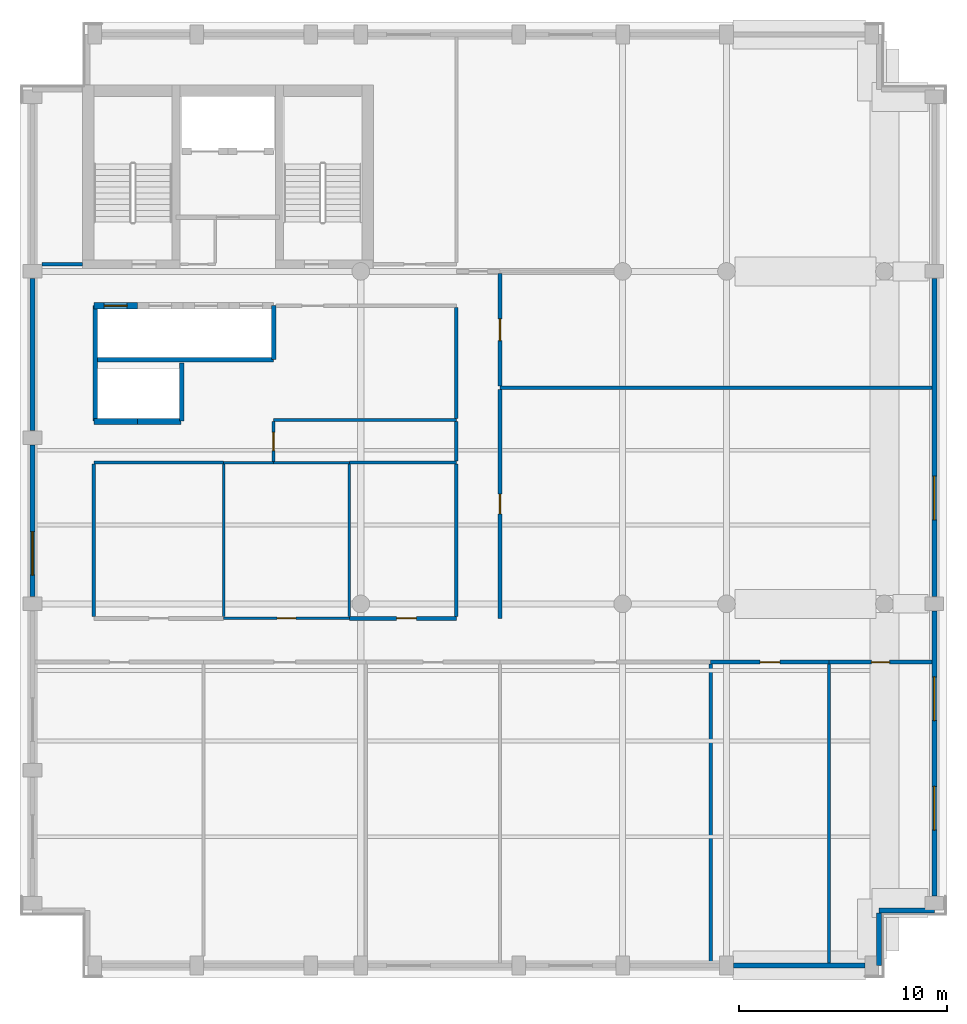
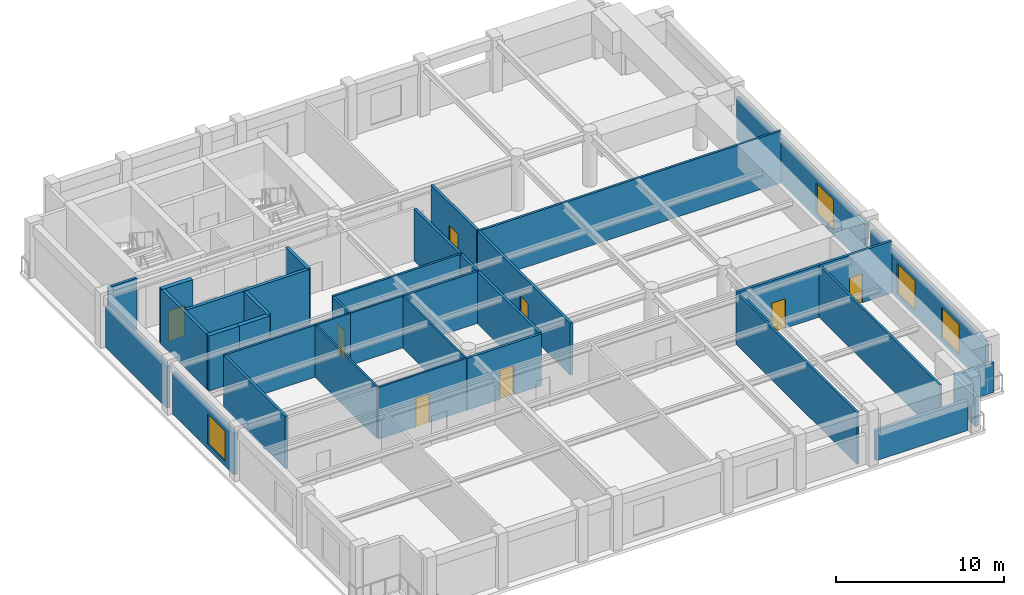
# One storey, part 3 of 8: 36 walls, 8 doors, 4 windows, 12 openings.
"""IFC4 building model written with IfcOpenShell, lengths in metres."""

from ifc_helpers import new_model, si_unit, direction, frame, frame_2d, origin, place, context, subcontext, project, spatial, rectangle, extrude, material, layer, layer_set, type_object, element, fill, save


model = new_model("IFC4")

# Units and contexts
model_context = context("Model", 3, precision=1e-05, world=origin(), true_north=direction((0.0, 1.0)))
body_context = subcontext(model_context, "Body", "Model", "MODEL_VIEW")
ifc_project = project(units=[si_unit("LENGTHUNIT", "METRE"), si_unit("AREAUNIT", "SQUARE_METRE"), si_unit("VOLUMEUNIT", "CUBIC_METRE"), si_unit("PLANEANGLEUNIT", "RADIAN"), si_unit("MASSUNIT", "GRAM", prefix="KILO")], contexts=[model_context])

# Site, building, storey
site_placement = place(None, origin())
site = spatial("IfcSite", under=ifc_project, at=site_placement, CompositionType="ELEMENT")
building_placement = place(site_placement, origin())
building = spatial("IfcBuilding", under=site, at=building_placement, Name="Sulina Concourse Tower", CompositionType="ELEMENT")
storey_placement = place(building_placement, frame((0.0, 0.0, 293.0)))
storey = spatial("IfcBuildingStorey", under=building, at=storey_placement, Name="L71", CompositionType="ELEMENT", Elevation=293.0)

# Walls
ifc_material_1 = material(Name="Concrete C50/60", Category="concrete")
ifc_layer_1 = layer(ifc_material_1, 0.219970703125)
ifc_layer_set_1 = layer_set([ifc_layer_1], Name="Concrete C50/60")
wall_type_1 = type_object("IfcWallType", Name="Core Lift Hoistway Divider Wall 220mm", PredefinedType="SOLIDWALL", material=ifc_layer_set_1)
wall_1_placement = place(storey_placement, frame((3.550048828125, 29.75, 0.0), z_axis=(0.0, 0.0, 1.0), x_axis=(1.0, 0.0, 0.0)))
element("IfcWall", 1, at=wall_1_placement, inside=storey, type_object=wall_type_1, Name="L71 shaft divider wall HW-LP3-S", PredefinedType="SOLIDWALL", context=body_context, shape_type="SweptSolid", body=[
    extrude(rectangle(XDim=8.64990234375, YDim=0.219970703125, at=frame_2d((4.324951171875, 0.0))), origin(), (0.0, 0.0, 1.0), 4.0),
])
wall_2_placement = place(storey_placement, frame((3.6298828125, 26.800048828125, 0.0), z_axis=(0.0, 0.0, 1.0), x_axis=(0.0, 1.0, 0.0)))
element("IfcWall", 2, at=wall_2_placement, inside=storey, type_object=wall_type_1, Name="L71 shaft divider wall HW-LP3-W", PredefinedType="SOLIDWALL", context=body_context, shape_type="SweptSolid", body=[
    extrude(rectangle(XDim=5.550048828125, YDim=0.219970703125, at=frame_2d((2.77490234375, 0.0))), origin(), (0.0, 0.0, 1.0), 4.0),
])
wall_3_placement = place(storey_placement, frame((7.780029296875, 26.800048828125, 0.0), z_axis=(0.0, 0.0, 1.0), x_axis=(0.0, 1.0, 0.0)))
element("IfcWall", 3, at=wall_3_placement, inside=storey, type_object=wall_type_1, Name="L71 shaft divider wall HW-EXP-E", PredefinedType="SOLIDWALL", context=body_context, shape_type="SweptSolid", body=[
    extrude(rectangle(XDim=2.800048828125, YDim=0.219970703125, at=frame_2d((1.39990234375, 0.0))), origin(), (0.0, 0.0, 1.0), 4.0),
])
wall_4_placement = place(storey_placement, frame((12.219970703125, 29.75, 0.0), z_axis=(0.0, 0.0, 1.0), x_axis=(0.0, 1.0, 0.0)))
element("IfcWall", 4, at=wall_4_placement, inside=storey, type_object=wall_type_1, Name="L71 shaft divider wall HW-LP3-E", PredefinedType="SOLIDWALL", context=body_context, shape_type="SweptSolid", body=[
    extrude(rectangle(XDim=2.60009765625, YDim=0.219970703125, at=frame_2d((1.300048828125, 0.0))), origin(), (0.0, 0.0, 1.0), 4.0),
])

# Wall, opening, door
ifc_material_2 = material(Name="Concrete C50/60", Category="concrete")
ifc_layer_2 = layer(ifc_material_2, 0.300048828125)
ifc_layer_set_2 = layer_set([ifc_layer_2], Name="Concrete C50/60")
wall_type_2 = type_object("IfcWallType", Name="Core Lift Hoistway Wall 300mm", PredefinedType="SOLIDWALL", material=ifc_layer_set_2)
wall_5_placement = place(storey_placement, frame((3.550048828125, 32.35009765625, 0.0), z_axis=(0.0, 0.0, 1.0), x_axis=(1.0, 0.0, 0.0)))
wall_5 = element("IfcWall", 5, at=wall_5_placement, inside=storey, type_object=wall_type_2, Name="L71 hoistway enclosure wall LP-09", PredefinedType="SOLIDWALL", context=body_context, shape_type="SweptSolid", body=[
    extrude(rectangle(XDim=2.099853515625, YDim=0.300048828125, at=frame_2d((1.0498046875, 0.0))), origin(), (0.0, 0.0, 1.0), 4.0),
])
opening_1_placement = place(wall_5_placement, frame((0.5, 0.0, 0.0)))
opening_1 = element("IfcOpeningElement", 6, at=opening_1_placement, cuts=wall_5, Name="Opening LD-01", PredefinedType="OPENING", context=body_context, shape_type="SweptSolid", body=[
    extrude(rectangle(XDim=1.10009765625, YDim=2.199951171875, at=frame_2d((0.550048828125, 1.10009765625))), frame((0.0, 0.159912109375, 0.0), z_axis=(0.0, -1.0, 0.0), x_axis=(1.0, 0.0, 0.0)), (0.0, 0.0, 1.0), 0.320068359375),
])
ifc_material_3 = material(Name="Stainless steel lift landing door", Category="steel")
ifc_layer_3 = layer(ifc_material_3, 0.050048828125)
ifc_layer_set_3 = layer_set([ifc_layer_3], Name="Stainless steel lift landing door")
door_type_1 = type_object("IfcDoorType", Name="Passenger Lift Sliding Landing Door 1100x2200", OperationType="SLIDING_TO_LEFT", PredefinedType="DOOR", material=ifc_layer_set_3)
door_1_placement = place(opening_1_placement, origin())
door_1 = element("IfcDoor", 7, at=door_1_placement, inside=storey, type_object=door_type_1, Name="L71 lift landing sliding door LP-09", OperationType="SLIDING_TO_LEFT", OverallHeight=2.199951171875, OverallWidth=1.10009765625, PredefinedType="DOOR", context=body_context, shape_type="SweptSolid", body=[
    extrude(rectangle(XDim=1.10009765625, YDim=2.199951171875, at=frame_2d((0.550048828125, 1.10009765625))), frame((0.0, 0.02490234375, 0.0), z_axis=(0.0, -1.0, 0.0), x_axis=(1.0, 0.0, 0.0)), (0.0, 0.0, 1.0), 0.050048828125),
])
fill(opening_1, door_1)

# Walls
wall_6_placement = place(storey_placement, frame((5.64990234375, 26.780029296875, 0.0), z_axis=(0.0, 0.0, 1.0), x_axis=(-1.0, 0.0, 0.0)))
element("IfcWall", 8, at=wall_6_placement, inside=storey, type_object=wall_type_2, Name="L71 hoistway enclosure wall EXP-1", PredefinedType="SOLIDWALL", context=body_context, shape_type="SweptSolid", body=[
    extrude(rectangle(XDim=2.099853515625, YDim=0.300048828125, at=frame_2d((1.0498046875, 0.0))), origin(), (0.0, 0.0, 1.0), 4.0),
])
wall_7_placement = place(storey_placement, frame((7.75, 26.780029296875, 0.0), z_axis=(0.0, 0.0, 1.0), x_axis=(-1.0, 0.0, 0.0)))
element("IfcWall", 9, at=wall_7_placement, inside=storey, type_object=wall_type_2, Name="L71 hoistway enclosure wall EXP-2", PredefinedType="SOLIDWALL", context=body_context, shape_type="SweptSolid", body=[
    extrude(rectangle(XDim=2.10009765625, YDim=0.300048828125, at=frame_2d((1.050048828125, 0.0))), origin(), (0.0, 0.0, 1.0), 4.0),
])
ifc_material_4 = material(Name="Precast concrete C50/60", Category="concrete")
ifc_layer_4 = layer(ifc_material_4, 0.239990234375)
ifc_layer_set_4 = layer_set([ifc_layer_4], Name="Precast concrete C50/60")
wall_type_3 = type_object("IfcWallType", Name="Crown Precast Masonry-Frame Facade Wall 240mm", PredefinedType="SOLIDWALL", material=ifc_layer_set_4)
wall_8_placement = place(storey_placement, frame((40.655029296875, 0.60009765625, 0.0), z_axis=(0.0, 0.0, 1.0), x_axis=(-1.0, 0.0, 0.0)))
element("IfcWall", 10, at=wall_8_placement, inside=storey, type_object=wall_type_3, Name="L71 exterior precast wall S7", PredefinedType="SOLIDWALL", context=body_context, shape_type="SweptSolid", body=[
    extrude(rectangle(XDim=6.31005859375, YDim=0.239990234375, at=frame_2d((3.155029296875, 0.0))), origin(), (0.0, 0.0, 1.0), 2.175048828125),
])

# Wall, opening, window
wall_9_placement = place(storey_placement, frame((0.60009765625, 18.344970703125, 0.0), z_axis=(0.0, 0.0, 1.0), x_axis=(0.0, 1.0, 0.0)))
wall_9 = element("IfcWall", 11, at=wall_9_placement, inside=storey, type_object=wall_type_3, Name="L71 exterior precast wall W3", PredefinedType="SOLIDWALL", context=body_context, shape_type="SweptSolid", body=[
    extrude(rectangle(XDim=7.31005859375, YDim=0.239990234375, at=frame_2d((3.655029296875, 0.0))), origin(), (0.0, 0.0, 1.0), 3.02490234375),
])
opening_2_placement = place(wall_9_placement, frame((1.03662109375, 0.0, 0.35009765625)))
opening_2 = element("IfcOpeningElement", 12, at=opening_2_placement, cuts=wall_9, Name="Opening WN-33", PredefinedType="OPENING", context=body_context, shape_type="SweptSolid", body=[
    extrude(rectangle(XDim=2.10009765625, YDim=2.199951171875, at=frame_2d((1.050048828125, 1.10009765625))), frame((0.0, 0.1298828125, 0.0), z_axis=(0.0, -1.0, 0.0), x_axis=(1.0, 0.0, 0.0)), (0.0, 0.0, 1.0), 0.260009765625),
])
ifc_material_5 = material(Name="Low-E solar double glazing in bronze aluminium", Category="aluminium")
window_type = type_object("IfcWindowType", Name="Punched Masonry-Frame Window 2100x2200", PartitioningType="DOUBLE_PANEL_VERTICAL", PredefinedType="WINDOW", material=ifc_material_5)
window_1_placement = place(opening_2_placement, origin())
window_1 = element("IfcWindow", 13, at=window_1_placement, inside=storey, type_object=window_type, Name="L71 punched window W3-1", OverallHeight=2.199951171875, OverallWidth=2.10009765625, PartitioningType="SINGLE_PANEL", PredefinedType="WINDOW", context=body_context, shape_type="SweptSolid", body=[
    extrude(rectangle(XDim=2.10009765625, YDim=2.199951171875, at=frame_2d((1.050048828125, 1.10009765625))), frame((0.0, 0.030029296875, 0.0), z_axis=(0.0, -1.0, 0.0), x_axis=(1.0, 0.0, 0.0)), (0.0, 0.0, 1.0), 0.06005859375),
])
fill(opening_2, window_1)

# Wall
wall_10_placement = place(storey_placement, frame((0.60009765625, 26.344970703125, 0.0), z_axis=(0.0, 0.0, 1.0), x_axis=(0.0, 1.0, 0.0)))
element("IfcWall", 14, at=wall_10_placement, inside=storey, type_object=wall_type_3, Name="L71 exterior precast wall W4", PredefinedType="SOLIDWALL", context=body_context, shape_type="SweptSolid", body=[
    extrude(rectangle(XDim=7.31005859375, YDim=0.239990234375, at=frame_2d((3.655029296875, 0.0))), origin(), (0.0, 0.0, 1.0), 3.02490234375),
])

# Wall, openings, windows
wall_11_placement = place(storey_placement, frame((44.0, 17.655029296875, 0.0), z_axis=(0.0, 0.0, 1.0), x_axis=(0.0, -1.0, 0.0)))
wall_11 = element("IfcWall", 15, at=wall_11_placement, inside=storey, type_object=wall_type_3, Name="L71 exterior precast wall E1", PredefinedType="SOLIDWALL", context=body_context, shape_type="SweptSolid", body=[
    extrude(rectangle(XDim=13.7099609375, YDim=0.239990234375, at=frame_2d((6.85498046875, 0.0))), origin(), (0.0, 0.0, 1.0), 3.014892578125),
])
opening_3_placement = place(wall_11_placement, frame((3.169921875, 0.0, 0.35009765625)))
opening_3 = element("IfcOpeningElement", 16, at=opening_3_placement, cuts=wall_11, Name="Opening WN-33", PredefinedType="OPENING", context=body_context, shape_type="SweptSolid", body=[
    extrude(rectangle(XDim=2.10009765625, YDim=2.199951171875, at=frame_2d((1.050048828125, 1.10009765625))), frame((0.0, 0.1298828125, 0.0), z_axis=(0.0, -1.0, 0.0), x_axis=(1.0, 0.0, 0.0)), (0.0, 0.0, 1.0), 0.260009765625),
])
opening_4_placement = place(wall_11_placement, frame((8.43994140625, 0.0, 0.35009765625)))
opening_4 = element("IfcOpeningElement", 17, at=opening_4_placement, cuts=wall_11, Name="Opening WN-33", PredefinedType="OPENING", context=body_context, shape_type="SweptSolid", body=[
    extrude(rectangle(XDim=2.10009765625, YDim=2.199951171875, at=frame_2d((1.050048828125, 1.10009765625))), frame((0.0, 0.1298828125, 0.0), z_axis=(0.0, -1.0, 0.0), x_axis=(1.0, 0.0, 0.0)), (0.0, 0.0, 1.0), 0.260009765625),
])
window_2_placement = place(opening_3_placement, origin())
window_2 = element("IfcWindow", 18, at=window_2_placement, inside=storey, type_object=window_type, Name="L71 punched window E1-1", OverallHeight=2.199951171875, OverallWidth=2.10009765625, PartitioningType="SINGLE_PANEL", PredefinedType="WINDOW", context=body_context, shape_type="SweptSolid", body=[
    extrude(rectangle(XDim=2.10009765625, YDim=2.199951171875, at=frame_2d((1.050048828125, 1.10009765625))), frame((0.0, 0.030029296875, 0.0), z_axis=(0.0, -1.0, 0.0), x_axis=(1.0, 0.0, 0.0)), (0.0, 0.0, 1.0), 0.06005859375),
])
fill(opening_3, window_2)
window_3_placement = place(opening_4_placement, origin())
window_3 = element("IfcWindow", 19, at=window_3_placement, inside=storey, type_object=window_type, Name="L71 punched window E1-2", OverallHeight=2.199951171875, OverallWidth=2.10009765625, PartitioningType="SINGLE_PANEL", PredefinedType="WINDOW", context=body_context, shape_type="SweptSolid", body=[
    extrude(rectangle(XDim=2.10009765625, YDim=2.199951171875, at=frame_2d((1.050048828125, 1.10009765625))), frame((0.0, 0.030029296875, 0.0), z_axis=(0.0, -1.0, 0.0), x_axis=(1.0, 0.0, 0.0)), (0.0, 0.0, 1.0), 0.06005859375),
])
fill(opening_4, window_3)

# Wall, opening, window
wall_12_placement = place(storey_placement, frame((44.0, 33.655029296875, 0.0), z_axis=(0.0, 0.0, 1.0), x_axis=(0.0, -1.0, 0.0)))
wall_12 = element("IfcWall", 20, at=wall_12_placement, inside=storey, type_object=wall_type_3, Name="L71 exterior precast wall E2", PredefinedType="SOLIDWALL", context=body_context, shape_type="SweptSolid", body=[
    extrude(rectangle(XDim=15.31005859375, YDim=0.239990234375, at=frame_2d((7.655029296875, 0.0))), origin(), (0.0, 0.0, 1.0), 3.014892578125),
])
opening_5_placement = place(wall_12_placement, frame((9.506591796875, 0.0, 0.35009765625)))
opening_5 = element("IfcOpeningElement", 21, at=opening_5_placement, cuts=wall_12, Name="Opening WN-33", PredefinedType="OPENING", context=body_context, shape_type="SweptSolid", body=[
    extrude(rectangle(XDim=2.10009765625, YDim=2.199951171875, at=frame_2d((1.050048828125, 1.10009765625))), frame((0.0, 0.1298828125, 0.0), z_axis=(0.0, -1.0, 0.0), x_axis=(1.0, 0.0, 0.0)), (0.0, 0.0, 1.0), 0.260009765625),
])
window_4_placement = place(opening_5_placement, origin())
window_4 = element("IfcWindow", 22, at=window_4_placement, inside=storey, type_object=window_type, Name="L71 punched window E2-1", OverallHeight=2.199951171875, OverallWidth=2.10009765625, PartitioningType="SINGLE_PANEL", PredefinedType="WINDOW", context=body_context, shape_type="SweptSolid", body=[
    extrude(rectangle(XDim=2.10009765625, YDim=2.199951171875, at=frame_2d((1.050048828125, 1.10009765625))), frame((0.0, 0.030029296875, 0.0), z_axis=(0.0, -1.0, 0.0), x_axis=(1.0, 0.0, 0.0)), (0.0, 0.0, 1.0), 0.06005859375),
])
fill(opening_5, window_4)

# Walls
wall_13_placement = place(storey_placement, frame((44.0, 3.2548828125, 0.0), z_axis=(0.0, 0.0, 1.0), x_axis=(-1.0, 0.0, 0.0)))
element("IfcWall", 23, at=wall_13_placement, inside=storey, type_object=wall_type_3, Name="L71 exterior precast wall CSE1", PredefinedType="SOLIDWALL", context=body_context, shape_type="SweptSolid", body=[
    extrude(rectangle(XDim=2.655029296875, YDim=0.239990234375, at=frame_2d((1.32763671875, 0.0))), origin(), (0.0, 0.0, 1.0), 2.1650390625),
])
wall_14_placement = place(storey_placement, frame((41.344970703125, 3.1298828125, 0.0), z_axis=(0.0, 0.0, 1.0), x_axis=(0.0, -1.0, 0.0)))
element("IfcWall", 24, at=wall_14_placement, inside=storey, type_object=wall_type_3, Name="L71 exterior precast wall CSE2", PredefinedType="SOLIDWALL", context=body_context, shape_type="SweptSolid", body=[
    extrude(rectangle(XDim=2.52978515625, YDim=0.239990234375, at=frame_2d((1.264892578125, 0.0))), origin(), (0.0, 0.0, 1.0), 2.1650390625),
])
ifc_material_6 = material(Name="Gypsum board on steel stud", Category="steel")
ifc_layer_5 = layer(ifc_material_6, 0.14990234375)
ifc_layer_set_5 = layer_set([ifc_layer_5], Name="Gypsum board on steel stud")
wall_type_4 = type_object("IfcWallType", Name="Inter-Tenancy Acoustic Partition 150mm", PredefinedType="PARTITIONING", material=ifc_layer_set_5)
wall_15_placement = place(storey_placement, frame((3.550048828125, 24.800048828125, 0.0), z_axis=(0.0, 0.0, 1.0), x_axis=(1.0, 0.0, 0.0)))
element("IfcWall", 25, at=wall_15_placement, inside=storey, type_object=wall_type_4, Name="L71 interior partition 010", PredefinedType="PARTITIONING", context=body_context, shape_type="SweptSolid", body=[
    extrude(rectangle(XDim=6.25, YDim=0.14990234375, at=frame_2d((3.125, 0.0))), origin(), (0.0, 0.0, 1.0), 3.77490234375),
])
wall_16_placement = place(storey_placement, frame((15.85009765625, 24.800048828125, 0.0), z_axis=(0.0, 0.0, 1.0), x_axis=(1.0, 0.0, 0.0)))
element("IfcWall", 26, at=wall_16_placement, inside=storey, type_object=wall_type_4, Name="L71 interior partition 013", PredefinedType="PARTITIONING", context=body_context, shape_type="SweptSolid", body=[
    extrude(rectangle(XDim=5.14990234375, YDim=0.14990234375, at=frame_2d((2.574951171875, 0.0))), origin(), (0.0, 0.0, 1.0), 3.77490234375),
])
wall_17_placement = place(storey_placement, frame((12.199951171875, 26.85009765625, 0.0), z_axis=(0.0, 0.0, 1.0), x_axis=(1.0, 0.0, 0.0)))
element("IfcWall", 27, at=wall_17_placement, inside=storey, type_object=wall_type_4, Name="L71 interior partition 014", PredefinedType="PARTITIONING", context=body_context, shape_type="SweptSolid", body=[
    extrude(rectangle(XDim=8.800048828125, YDim=0.14990234375, at=frame_2d((4.39990234375, 0.0))), origin(), (0.0, 0.0, 1.0), 3.77490234375),
])
wall_18_placement = place(storey_placement, frame((23.10009765625, 28.39990234375, 0.0), z_axis=(0.0, 0.0, 1.0), x_axis=(1.0, 0.0, 0.0)))
element("IfcWall", 28, at=wall_18_placement, inside=storey, type_object=wall_type_4, Name="L71 interior partition 015", PredefinedType="PARTITIONING", context=body_context, shape_type="SweptSolid", body=[
    extrude(rectangle(XDim=20.77978515625, YDim=0.14990234375, at=frame_2d((10.389892578125, 0.0))), origin(), (0.0, 0.0, 1.0), 3.77490234375),
])

# Wall, opening, door
wall_19_placement = place(storey_placement, frame((12.199951171875, 24.862548828125, 0.0), z_axis=(0.0, 0.0, 1.0), x_axis=(0.0, 1.0, 0.0)))
wall_19 = element("IfcWall", 29, at=wall_19_placement, inside=storey, type_object=wall_type_4, Name="L71 interior partition 027", PredefinedType="PARTITIONING", context=body_context, shape_type="SweptSolid", body=[
    extrude(rectangle(XDim=1.912353515625, YDim=0.14990234375, at=frame_2d((0.9560546875, 0.0))), origin(), (0.0, 0.0, 1.0), 3.77490234375),
])
opening_6_placement = place(wall_19_placement, frame((0.51611328125, 0.0, 0.0)))
opening_6 = element("IfcOpeningElement", 30, at=opening_6_placement, cuts=wall_19, Name="Opening DR-38", PredefinedType="OPENING", context=body_context, shape_type="SweptSolid", body=[
    extrude(rectangle(XDim=0.8798828125, YDim=2.10009765625, at=frame_2d((0.43994140625, 1.050048828125))), frame((0.0, 0.0849609375, 0.0), z_axis=(0.0, -1.0, 0.0), x_axis=(1.0, 0.0, 0.0)), (0.0, 0.0, 1.0), 0.169921875),
])
ifc_material_7 = material(Name="Galvanised steel acoustic fire leaf", Category="steel")
ifc_layer_6 = layer(ifc_material_7, 0.050048828125)
ifc_layer_set_6 = layer_set([ifc_layer_6], Name="Galvanised steel acoustic fire leaf")
door_type_2 = type_object("IfcDoorType", Name="Service Riser Fire Door 880x2100", OperationType="NOTDEFINED", PredefinedType="DOOR", material=ifc_layer_set_6)
door_2_placement = place(opening_6_placement, origin())
door_2 = element("IfcDoor", 31, at=door_2_placement, inside=storey, type_object=door_type_2, Name="L71 interior door L71-MR-MRG1", OperationType="SINGLE_SWING_LEFT", OverallHeight=2.10009765625, OverallWidth=0.8798828125, PredefinedType="DOOR", context=body_context, shape_type="SweptSolid", body=[
    extrude(rectangle(XDim=0.8798828125, YDim=2.10009765625, at=frame_2d((0.43994140625, 1.050048828125))), frame((0.0, 0.02490234375, 0.0), z_axis=(0.0, -1.0, 0.0), x_axis=(1.0, 0.0, 0.0)), (0.0, 0.0, 1.0), 0.050048828125),
])
fill(opening_6, door_2)

# Walls
for number, where, z_axis, x_axis, name in (
    (32, (33.239990234375, 0.719970703125, 0.0), (0.0, 0.0, 1.0), (0.0, 1.0, 0.0), "L71 interior partition 037"),
    (33, (38.93994140625, 0.719970703125, 0.0), (0.0, 0.0, 1.0), (0.0, 1.0, 0.0), "L71 interior partition 038"),
):
    element("IfcWall", number, at=place(storey_placement, frame(where, z_axis=z_axis, x_axis=x_axis)), inside=storey, type_object=wall_type_4, Name=name, PredefinedType="PARTITIONING", context=body_context, shape_type="SweptSolid", body=[
        extrude(rectangle(XDim=14.39013671875, YDim=0.14990234375, at=frame_2d((7.195068359375, 0.0))), origin(), (0.0, 0.0, 1.0), 3.77490234375),
    ])

# Wall, opening, door
ifc_material_8 = material(Name="Gypsum board on steel stud", Category="steel")
ifc_layer_7 = layer(ifc_material_8, 0.179931640625)
ifc_layer_set_7 = layer_set([ifc_layer_7], Name="Gypsum board on steel stud")
wall_type_5 = type_object("IfcWallType", Name="Protected Corridor & Riser Partition 180mm", PredefinedType="PARTITIONING", material=ifc_layer_set_7)
wall_20_placement = place(storey_placement, frame((33.239990234375, 15.199951171875, 0.0), z_axis=(0.0, 0.0, 1.0), x_axis=(1.0, 0.0, 0.0)))
wall_20 = element("IfcWall", 34, at=wall_20_placement, inside=storey, type_object=wall_type_5, Name="L71 interior partition 005", PredefinedType="PARTITIONING", context=body_context, shape_type="SweptSolid", body=[
    extrude(rectangle(XDim=5.699951171875, YDim=0.179931640625, at=frame_2d((2.85009765625, 0.0))), origin(), (0.0, 0.0, 1.0), 3.77490234375),
])
opening_7_placement = place(wall_20_placement, frame((2.375, 0.0, 0.0)))
opening_7 = element("IfcOpeningElement", 35, at=opening_7_placement, cuts=wall_20, Name="Opening DR-19", PredefinedType="OPENING", context=body_context, shape_type="SweptSolid", body=[
    extrude(rectangle(XDim=0.949951171875, YDim=2.14990234375, at=frame_2d((0.47509765625, 1.074951171875))), frame((0.0, 0.099853515625, 0.0), z_axis=(0.0, -1.0, 0.0), x_axis=(1.0, 0.0, 0.0)), (0.0, 0.0, 1.0), 0.199951171875),
])
ifc_material_9 = material(Name="Oak-veneered acoustic timber leaf", Category="wood")
ifc_layer_8 = layer(ifc_material_9, 0.050048828125)
ifc_layer_set_8 = layer_set([ifc_layer_8], Name="Oak-veneered acoustic timber leaf")
door_type_3 = type_object("IfcDoorType", Name="Cellular Office & Meeting Door 950x2150", OperationType="NOTDEFINED", PredefinedType="DOOR", material=ifc_layer_set_8)
door_3_placement = place(opening_7_placement, origin())
door_3 = element("IfcDoor", 36, at=door_3_placement, inside=storey, type_object=door_type_3, Name="L71 interior door L71-S04A", OperationType="SINGLE_SWING_RIGHT", OverallHeight=2.14990234375, OverallWidth=0.949951171875, PredefinedType="DOOR", context=body_context, shape_type="SweptSolid", body=[
    extrude(rectangle(XDim=0.949951171875, YDim=2.14990234375, at=frame_2d((0.47509765625, 1.074951171875))), frame((0.0, 0.02490234375, 0.0), z_axis=(0.0, -1.0, 0.0), x_axis=(1.0, 0.0, 0.0)), (0.0, 0.0, 1.0), 0.050048828125),
])
fill(opening_7, door_3)

wall_21_placement = place(storey_placement, frame((38.93994140625, 15.199951171875, 0.0), z_axis=(0.0, 0.0, 1.0), x_axis=(1.0, 0.0, 0.0)))
wall_21 = element("IfcWall", 37, at=wall_21_placement, inside=storey, type_object=wall_type_5, Name="L71 interior partition 006", PredefinedType="PARTITIONING", context=body_context, shape_type="SweptSolid", body=[
    extrude(rectangle(XDim=4.93994140625, YDim=0.179931640625, at=frame_2d((2.469970703125, 0.0))), origin(), (0.0, 0.0, 1.0), 3.77490234375),
])
opening_8_placement = place(wall_21_placement, frame((2.030029296875, 0.0, 0.0)))
opening_8 = element("IfcOpeningElement", 38, at=opening_8_placement, cuts=wall_21, Name="Opening DR-38", PredefinedType="OPENING", context=body_context, shape_type="SweptSolid", body=[
    extrude(rectangle(XDim=0.8798828125, YDim=2.10009765625, at=frame_2d((0.43994140625, 1.050048828125))), frame((0.0, 0.099853515625, 0.0), z_axis=(0.0, -1.0, 0.0), x_axis=(1.0, 0.0, 0.0)), (0.0, 0.0, 1.0), 0.199951171875),
])
door_4_placement = place(opening_8_placement, origin())
door_4 = element("IfcDoor", 39, at=door_4_placement, inside=storey, type_object=door_type_2, Name="L71 interior door L71-S04B", OperationType="SINGLE_SWING_LEFT", OverallHeight=2.10009765625, OverallWidth=0.8798828125, PredefinedType="DOOR", context=body_context, shape_type="SweptSolid", body=[
    extrude(rectangle(XDim=0.8798828125, YDim=2.10009765625, at=frame_2d((0.43994140625, 1.050048828125))), frame((0.0, 0.02490234375, 0.0), z_axis=(0.0, -1.0, 0.0), x_axis=(1.0, 0.0, 0.0)), (0.0, 0.0, 1.0), 0.050048828125),
])
fill(opening_8, door_4)

wall_22_placement = place(storey_placement, frame((15.85009765625, 17.300048828125, 0.0), z_axis=(0.0, 0.0, 1.0), x_axis=(1.0, 0.0, 0.0)))
wall_22 = element("IfcWall", 40, at=wall_22_placement, inside=storey, type_object=wall_type_5, Name="L71 interior partition 009", PredefinedType="PARTITIONING", context=body_context, shape_type="SweptSolid", body=[
    extrude(rectangle(XDim=5.14990234375, YDim=0.179931640625, at=frame_2d((2.574951171875, 0.0))), origin(), (0.0, 0.0, 1.0), 3.77490234375),
])
opening_9_placement = place(wall_22_placement, frame((2.280029296875, 0.0, 0.0)))
opening_9 = element("IfcOpeningElement", 41, at=opening_9_placement, cuts=wall_22, Name="Opening DR-19", PredefinedType="OPENING", context=body_context, shape_type="SweptSolid", body=[
    extrude(rectangle(XDim=0.949951171875, YDim=2.14990234375, at=frame_2d((0.47509765625, 1.074951171875))), frame((0.0, 0.099853515625, 0.0), z_axis=(0.0, -1.0, 0.0), x_axis=(1.0, 0.0, 0.0)), (0.0, 0.0, 1.0), 0.199951171875),
])
door_5_placement = place(opening_9_placement, origin())
door_5 = element("IfcDoor", 42, at=door_5_placement, inside=storey, type_object=door_type_3, Name="L71 interior door L71-CR-PKW", OperationType="SINGLE_SWING_RIGHT", OverallHeight=2.14990234375, OverallWidth=0.949951171875, PredefinedType="DOOR", context=body_context, shape_type="SweptSolid", body=[
    extrude(rectangle(XDim=0.949951171875, YDim=2.14990234375, at=frame_2d((0.47509765625, 1.074951171875))), frame((0.0, 0.02490234375, 0.0), z_axis=(0.0, -1.0, 0.0), x_axis=(1.0, 0.0, 0.0)), (0.0, 0.0, 1.0), 0.050048828125),
])
fill(opening_9, door_5)

# Walls
wall_23_placement = place(storey_placement, frame((1.050048828125, 34.35009765625, 0.0), z_axis=(0.0, 0.0, 1.0), x_axis=(1.0, 0.0, 0.0)))
element("IfcWall", 43, at=wall_23_placement, inside=storey, type_object=wall_type_5, Name="L71 interior partition 020", PredefinedType="PARTITIONING", context=body_context, shape_type="SweptSolid", body=[
    extrude(rectangle(XDim=1.949951171875, YDim=0.179931640625, at=frame_2d((0.97509765625, 0.0))), origin(), (0.0, 0.0, 1.0), 3.77490234375),
])
for number, where, z_axis, x_axis, name in (
    (44, (3.550048828125, 17.389892578125, 0.0), (0.0, 0.0, 1.0), (0.0, 1.0, 0.0), "L71 interior partition 023"),
    (45, (21.0, 17.389892578125, 0.0), (0.0, 0.0, 1.0), (0.0, 1.0, 0.0), "L71 interior partition 030"),
):
    element("IfcWall", number, at=place(storey_placement, frame(where, z_axis=z_axis, x_axis=x_axis)), inside=storey, type_object=wall_type_5, Name=name, PredefinedType="PARTITIONING", context=body_context, shape_type="SweptSolid", body=[
        extrude(rectangle(XDim=7.335205078125, YDim=0.179931640625, at=frame_2d((3.66748046875, 0.0))), origin(), (0.0, 0.0, 1.0), 3.77490234375),
    ])
wall_24_placement = place(storey_placement, frame((21.0, 24.875, 0.0), z_axis=(0.0, 0.0, 1.0), x_axis=(0.0, 1.0, 0.0)))
element("IfcWall", 46, at=wall_24_placement, inside=storey, type_object=wall_type_5, Name="L71 interior partition 031", PredefinedType="PARTITIONING", context=body_context, shape_type="SweptSolid", body=[
    extrude(rectangle(XDim=1.89990234375, YDim=0.179931640625, at=frame_2d((0.949951171875, 0.0))), origin(), (0.0, 0.0, 1.0), 3.77490234375),
])
wall_25_placement = place(storey_placement, frame((21.0, 26.925048828125, 0.0), z_axis=(0.0, 0.0, 1.0), x_axis=(0.0, 1.0, 0.0)))
element("IfcWall", 47, at=wall_25_placement, inside=storey, type_object=wall_type_5, Name="L71 interior partition 032", PredefinedType="PARTITIONING", context=body_context, shape_type="SweptSolid", body=[
    extrude(rectangle(XDim=5.3349609375, YDim=0.179931640625, at=frame_2d((2.66748046875, 0.0))), origin(), (0.0, 0.0, 1.0), 3.77490234375),
])

# Wall, opening, door
wall_26_placement = place(storey_placement, frame((23.10009765625, 17.300048828125, 0.0), z_axis=(0.0, 0.0, 1.0), x_axis=(0.0, 1.0, 0.0)))
wall_26 = element("IfcWall", 48, at=wall_26_placement, inside=storey, type_object=wall_type_5, Name="L71 interior partition 035", PredefinedType="PARTITIONING", context=body_context, shape_type="SweptSolid", body=[
    extrude(rectangle(XDim=11.02490234375, YDim=0.179931640625, at=frame_2d((5.512451171875, 0.0))), origin(), (0.0, 0.0, 1.0), 3.77490234375),
])
opening_10_placement = place(wall_26_placement, frame((5.03759765625, 0.0, 0.0)))
opening_10 = element("IfcOpeningElement", 49, at=opening_10_placement, cuts=wall_26, Name="Opening DR-19", PredefinedType="OPENING", context=body_context, shape_type="SweptSolid", body=[
    extrude(rectangle(XDim=0.949951171875, YDim=2.14990234375, at=frame_2d((0.47509765625, 1.074951171875))), frame((0.0, 0.099853515625, 0.0), z_axis=(0.0, -1.0, 0.0), x_axis=(1.0, 0.0, 0.0)), (0.0, 0.0, 1.0), 0.199951171875),
])
door_6_placement = place(opening_10_placement, origin())
door_6 = element("IfcDoor", 50, at=door_6_placement, inside=storey, type_object=door_type_3, Name="L71 interior door L71-CR-E1", OperationType="SINGLE_SWING_RIGHT", OverallHeight=2.14990234375, OverallWidth=0.949951171875, PredefinedType="DOOR", context=body_context, shape_type="SweptSolid", body=[
    extrude(rectangle(XDim=0.949951171875, YDim=2.14990234375, at=frame_2d((0.47509765625, 1.074951171875))), frame((0.0, 0.02490234375, 0.0), z_axis=(0.0, -1.0, 0.0), x_axis=(1.0, 0.0, 0.0)), (0.0, 0.0, 1.0), 0.050048828125),
])
fill(opening_10, door_6)

wall_27_placement = place(storey_placement, frame((23.10009765625, 28.47509765625, 0.0), z_axis=(0.0, 0.0, 1.0), x_axis=(0.0, 1.0, 0.0)))
wall_27 = element("IfcWall", 51, at=wall_27_placement, inside=storey, type_object=wall_type_5, Name="L71 interior partition 036", PredefinedType="PARTITIONING", context=body_context, shape_type="SweptSolid", body=[
    extrude(rectangle(XDim=5.434814453125, YDim=0.179931640625, at=frame_2d((2.71728515625, 0.0))), origin(), (0.0, 0.0, 1.0), 3.77490234375),
])
opening_11_placement = place(wall_27_placement, frame((2.1923828125, 0.0, 0.0)))
opening_11 = element("IfcOpeningElement", 52, at=opening_11_placement, cuts=wall_27, Name="Opening DR-37", PredefinedType="OPENING", context=body_context, shape_type="SweptSolid", body=[
    extrude(rectangle(XDim=1.050048828125, YDim=2.14990234375, at=frame_2d((0.52490234375, 1.074951171875))), frame((0.0, 0.099853515625, 0.0), z_axis=(0.0, -1.0, 0.0), x_axis=(1.0, 0.0, 0.0)), (0.0, 0.0, 1.0), 0.199951171875),
])
ifc_material_10 = material(Name="Oak-veneered fire door leaf")
ifc_layer_9 = layer(ifc_material_10, 0.050048828125)
ifc_layer_set_9 = layer_set([ifc_layer_9], Name="Oak-veneered fire door leaf")
door_type_4 = type_object("IfcDoorType", Name="Tenant Suite Entrance Fire Door 1050x2150", OperationType="NOTDEFINED", PredefinedType="DOOR", material=ifc_layer_set_9)
door_7_placement = place(opening_11_placement, origin())
door_7 = element("IfcDoor", 53, at=door_7_placement, inside=storey, type_object=door_type_4, Name="L71 interior door L71-CR-E2", OperationType="SINGLE_SWING_LEFT", OverallHeight=2.14990234375, OverallWidth=1.050048828125, PredefinedType="DOOR", context=body_context, shape_type="SweptSolid", body=[
    extrude(rectangle(XDim=1.050048828125, YDim=2.14990234375, at=frame_2d((0.52490234375, 1.074951171875))), frame((0.0, 0.02490234375, 0.0), z_axis=(0.0, -1.0, 0.0), x_axis=(1.0, 0.0, 0.0)), (0.0, 0.0, 1.0), 0.050048828125),
])
fill(opening_11, door_7)

ifc_material_11 = material(Name="Gypsum board on steel stud", Category="steel")
ifc_layer_10 = layer(ifc_material_11, 0.125)
ifc_layer_set_10 = layer_set([ifc_layer_10], Name="Gypsum board on steel stud")
wall_type_6 = type_object("IfcWallType", Name="Wet-Area Moisture-Resistant Partition 125mm", PredefinedType="PARTITIONING", material=ifc_layer_set_10)
wall_28_placement = place(storey_placement, frame((9.800048828125, 17.300048828125, 0.0), z_axis=(0.0, 0.0, 1.0), x_axis=(1.0, 0.0, 0.0)))
wall_28 = element("IfcWall", 54, at=wall_28_placement, inside=storey, type_object=wall_type_6, Name="L71 interior partition 008", PredefinedType="PARTITIONING", context=body_context, shape_type="SweptSolid", body=[
    extrude(rectangle(XDim=6.050048828125, YDim=0.125, at=frame_2d((3.02490234375, 0.0))), origin(), (0.0, 0.0, 1.0), 3.77490234375),
])
opening_12_placement = place(wall_28_placement, frame((2.574951171875, 0.0, 0.0)))
opening_12 = element("IfcOpeningElement", 55, at=opening_12_placement, cuts=wall_28, Name="Opening DR-21", PredefinedType="OPENING", context=body_context, shape_type="SweptSolid", body=[
    extrude(rectangle(XDim=0.89990234375, YDim=2.10009765625, at=frame_2d((0.449951171875, 1.050048828125))), frame((0.0, 0.072509765625, 0.0), z_axis=(0.0, -1.0, 0.0), x_axis=(1.0, 0.0, 0.0)), (0.0, 0.0, 1.0), 0.14501953125),
])
ifc_material_12 = material(Name="Oak-veneered fire door leaf")
ifc_layer_11 = layer(ifc_material_12, 0.050048828125)
ifc_layer_set_11 = layer_set([ifc_layer_11], Name="Oak-veneered fire door leaf")
door_type_5 = type_object("IfcDoorType", Name="Restroom & Service Door 900x2100", OperationType="NOTDEFINED", PredefinedType="DOOR", material=ifc_layer_set_11)
door_8_placement = place(opening_12_placement, origin())
door_8 = element("IfcDoor", 56, at=door_8_placement, inside=storey, type_object=door_type_5, Name="L71 interior door L71-LR-MRG2", OperationType="SINGLE_SWING_LEFT", OverallHeight=2.10009765625, OverallWidth=0.89990234375, PredefinedType="DOOR", context=body_context, shape_type="SweptSolid", body=[
    extrude(rectangle(XDim=0.89990234375, YDim=2.10009765625, at=frame_2d((0.449951171875, 1.050048828125))), frame((0.0, 0.02490234375, 0.0), z_axis=(0.0, -1.0, 0.0), x_axis=(1.0, 0.0, 0.0)), (0.0, 0.0, 1.0), 0.050048828125),
])
fill(opening_12, door_8)

# Walls
wall_29_placement = place(storey_placement, frame((9.800048828125, 24.800048828125, 0.0), z_axis=(0.0, 0.0, 1.0), x_axis=(1.0, 0.0, 0.0)))
element("IfcWall", 57, at=wall_29_placement, inside=storey, type_object=wall_type_6, Name="L71 interior partition 011", PredefinedType="PARTITIONING", context=body_context, shape_type="SweptSolid", body=[
    extrude(rectangle(XDim=2.39990234375, YDim=0.125, at=frame_2d((1.199951171875, 0.0))), origin(), (0.0, 0.0, 1.0), 3.77490234375),
])
wall_30_placement = place(storey_placement, frame((12.199951171875, 24.800048828125, 0.0), z_axis=(0.0, 0.0, 1.0), x_axis=(1.0, 0.0, 0.0)))
element("IfcWall", 58, at=wall_30_placement, inside=storey, type_object=wall_type_6, Name="L71 interior partition 012", PredefinedType="PARTITIONING", context=body_context, shape_type="SweptSolid", body=[
    extrude(rectangle(XDim=3.650146484375, YDim=0.125, at=frame_2d((1.8251953125, 0.0))), origin(), (0.0, 0.0, 1.0), 3.77490234375),
])
for number, where, z_axis, x_axis, name in (
    (59, (9.800048828125, 17.389892578125, 0.0), (0.0, 0.0, 1.0), (0.0, 1.0, 0.0), "L71 interior partition 026"),
    (60, (15.85009765625, 17.389892578125, 0.0), (0.0, 0.0, 1.0), (0.0, 1.0, 0.0), "L71 interior partition 028"),
):
    element("IfcWall", number, at=place(storey_placement, frame(where, z_axis=z_axis, x_axis=x_axis)), inside=storey, type_object=wall_type_6, Name=name, PredefinedType="PARTITIONING", context=body_context, shape_type="SweptSolid", body=[
        extrude(rectangle(XDim=7.335205078125, YDim=0.125, at=frame_2d((3.66748046875, 0.0))), origin(), (0.0, 0.0, 1.0), 3.77490234375),
    ])

save(model, "model.ifc")
